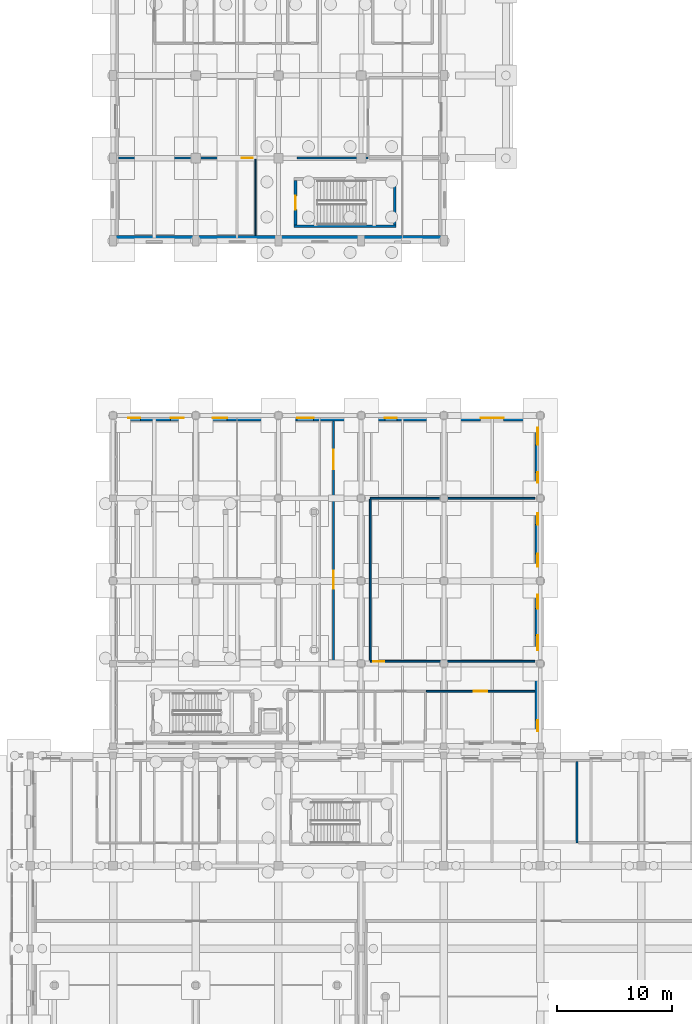
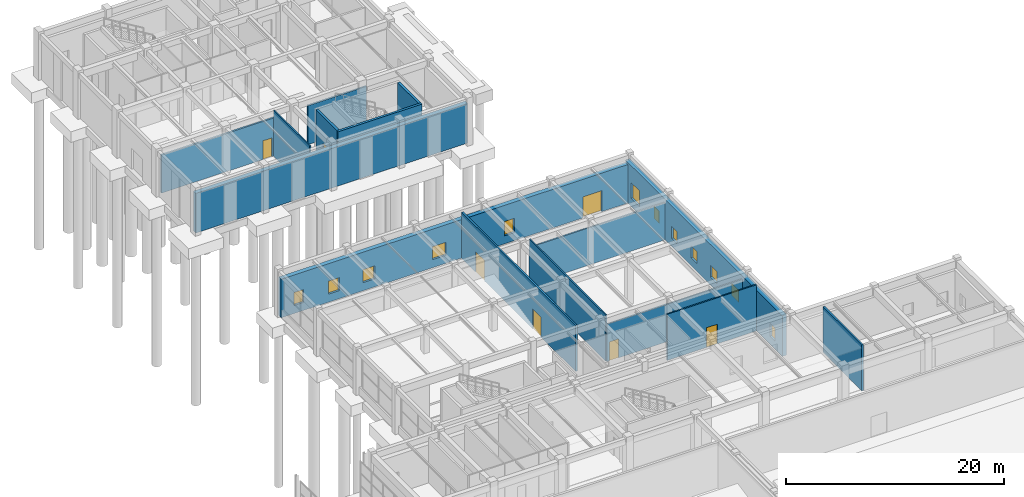
# One storey, part 76 of 91: 15 walls, 12 windows, 7 doors, 19 openings.
"""IFC4 building model written with IfcOpenShell, lengths in metres."""

from ifc_helpers import new_model, si_unit, direction, frame, frame_2d, origin, place, context, subcontext, project, spatial, rectangle, extrude, material, layer, layer_set, type_object, element, fill, save


model = new_model("IFC4")

# Units and contexts
model_context = context("Model", 3, precision=1e-05, world=origin(), true_north=direction((0.0, 1.0)))
body_context = subcontext(model_context, "Body", "Model", "MODEL_VIEW")
ifc_project = project(units=[si_unit("LENGTHUNIT", "METRE"), si_unit("AREAUNIT", "SQUARE_METRE"), si_unit("VOLUMEUNIT", "CUBIC_METRE"), si_unit("PLANEANGLEUNIT", "RADIAN"), si_unit("MASSUNIT", "GRAM", prefix="KILO")], contexts=[model_context])

# Site, building, storey
site_placement = place(None, origin())
site = spatial("IfcSite", under=ifc_project, at=site_placement, CompositionType="ELEMENT")
building_placement = place(site_placement, origin())
building = spatial("IfcBuilding", under=site, at=building_placement, Name="Bramveld Media Centre", CompositionType="ELEMENT")
storey_placement = place(building_placement, origin())
storey = spatial("IfcBuildingStorey", under=building, at=storey_placement, Name="L00", CompositionType="ELEMENT", Elevation=0.0)

# Wall
ifc_material_1 = material(Name="Concrete C40/50 stair & lift core wall", Category="concrete")
ifc_layer_1 = layer(ifc_material_1, 0.25)
ifc_layer_set_1 = layer_set([ifc_layer_1], Name="Concrete C40/50 stair & lift core wall")
wall_type_1 = type_object("IfcWallType", Name="CWALL-SHEAR-250", PredefinedType="SHEAR", material=ifc_layer_set_1)
wall_1_placement = place(storey_placement, frame((146.949951171875, 84.47509765625, 0.0), z_axis=(0.0, 0.0, 1.0), x_axis=(1.0, 0.0, 0.0)))
element("IfcWall", 1, at=wall_1_placement, inside=storey, type_object=wall_type_1, Name="ST-02 L00 stair core shear wall S", PredefinedType="SHEAR", context=body_context, shape_type="SweptSolid", body=[
    extrude(rectangle(XDim=8.900146484375, YDim=0.25, at=frame_2d((4.4501953125, 0.0))), origin(), (0.0, 0.0, 1.0), 5.139892578125),
])

# Wall, opening, door
wall_2_placement = place(storey_placement, frame((147.074951171875, 88.449951171875, 0.0), z_axis=(0.0, 0.0, 1.0), x_axis=(0.0, -1.0, 0.0)))
wall_2 = element("IfcWall", 2, at=wall_2_placement, inside=storey, type_object=wall_type_1, Name="ST-02 L00 stair core shear wall W", PredefinedType="SHEAR", context=body_context, shape_type="SweptSolid", body=[
    extrude(rectangle(XDim=3.849853515625, YDim=0.25, at=frame_2d((1.9248046875, 0.0))), origin(), (0.0, 0.0, 1.0), 5.139892578125),
])
opening_1_placement = place(wall_2_placement, frame((1.324951171875, 0.0, 0.0)))
opening_1 = element("IfcOpeningElement", 3, at=opening_1_placement, cuts=wall_2, Name="Opening SD-02-L00", PredefinedType="OPENING", context=body_context, shape_type="SweptSolid", body=[
    extrude(rectangle(XDim=1.199951171875, YDim=2.14990234375, at=frame_2d((0.60009765625, 1.074951171875))), frame((0.0, 0.136962890625, 0.0), z_axis=(0.0, -1.0, 0.0), x_axis=(1.0, 0.0, 0.0)), (0.0, 0.0, 1.0), 0.27392578125),
])
ifc_material_2 = material(Name="Painted galvanized steel acoustic fire door with intumescent smoke seals", Category="steel")
door_type_1 = type_object("IfcDoorType", Name="DR-ST-1200", OperationType="NOTDEFINED", PredefinedType="DOOR", material=ifc_material_2)
door_1_placement = place(opening_1_placement, origin())
door_1 = element("IfcDoor", 4, at=door_1_placement, inside=storey, type_object=door_type_1, Name="ST-02 L00 pressurized stair fire door", OperationType="SINGLE_SWING_LEFT", OverallHeight=2.14990234375, OverallWidth=1.199951171875, PredefinedType="DOOR", context=body_context, shape_type="SweptSolid", body=[
    extrude(rectangle(XDim=1.199951171875, YDim=2.14990234375, at=frame_2d((0.60009765625, 1.074951171875))), frame((0.0, 0.02490234375, 0.0), z_axis=(0.0, -1.0, 0.0), x_axis=(1.0, 0.0, 0.0)), (0.0, 0.0, 1.0), 0.050048828125),
])
fill(opening_1, door_1)

# Wall
wall_3_placement = place(storey_placement, frame((155.72509765625, 84.60009765625, 0.0), z_axis=(0.0, 0.0, 1.0), x_axis=(0.0, 1.0, 0.0)))
element("IfcWall", 5, at=wall_3_placement, inside=storey, type_object=wall_type_1, Name="ST-02 L00 stair core shear wall E", PredefinedType="SHEAR", context=body_context, shape_type="SweptSolid", body=[
    extrude(rectangle(XDim=3.849853515625, YDim=0.25, at=frame_2d((1.9248046875, 0.0))), origin(), (0.0, 0.0, 1.0), 5.139892578125),
])

# Wall, openings, windows
ifc_material_3 = material(Name="Flemish red-brown clay facing brick cavity wall with concrete C35/45 inner leaf", Category="masonry")
ifc_layer_2 = layer(ifc_material_3, 0.4599609375)
ifc_layer_set_2 = layer_set([ifc_layer_2], Name="Flemish red-brown clay facing brick cavity wall with concrete C35/45 inner leaf")
wall_type_2 = type_object("IfcWallType", Name="EW-BRK-460", PredefinedType="SOLIDWALL", material=ifc_layer_set_2)
wall_4_placement = place(storey_placement, frame((168.169921875, 68.0, 0.0), z_axis=(0.0, 0.0, 1.0), x_axis=(0.0, -1.0, 0.0)))
wall_4 = element("IfcWall", 6, at=wall_4_placement, inside=storey, type_object=wall_type_2, Name="V4 L00 E facing brick exterior wall", PredefinedType="SOLIDWALL", context=body_context, shape_type="SweptSolid", body=[
    extrude(rectangle(XDim=28.800048828125, YDim=0.4599609375, at=frame_2d((14.39990234375, 0.0))), origin(), (0.0, 0.0, 1.0), 4.554931640625),
])
opening_2_placement = place(wall_4_placement, frame((1.050048828125, 0.0, 0.89990234375)))
opening_2 = element("IfcOpeningElement", 7, at=opening_2_placement, cuts=wall_4, Name="Opening W-24", PredefinedType="OPENING", context=body_context, shape_type="SweptSolid", body=[
    extrude(rectangle(XDim=1.5, YDim=1.75, at=frame_2d((0.75, 0.875))), frame((0.0, 0.241943359375, 0.0), z_axis=(0.0, -1.0, 0.0), x_axis=(1.0, 0.0, 0.0)), (0.0, 0.0, 1.0), 0.48388671875),
])
opening_3_placement = place(wall_4_placement, frame((4.949951171875, 0.0, 0.89990234375)))
opening_3 = element("IfcOpeningElement", 8, at=opening_3_placement, cuts=wall_4, Name="Opening W-01", PredefinedType="OPENING", context=body_context, shape_type="SweptSolid", body=[
    extrude(rectangle(XDim=0.89990234375, YDim=1.35009765625, at=frame_2d((0.449951171875, 0.675048828125))), frame((0.0, 0.241943359375, 0.0), z_axis=(0.0, -1.0, 0.0), x_axis=(1.0, 0.0, 0.0)), (0.0, 0.0, 1.0), 0.48388671875),
])
opening_4_placement = place(wall_4_placement, frame((8.5, 0.0, 0.89990234375)))
opening_4 = element("IfcOpeningElement", 9, at=opening_4_placement, cuts=wall_4, Name="Opening W-02", PredefinedType="OPENING", context=body_context, shape_type="SweptSolid", body=[
    extrude(rectangle(XDim=1.0, YDim=1.35009765625, at=frame_2d((0.5, 0.675048828125))), frame((0.0, 0.241943359375, 0.0), z_axis=(0.0, -1.0, 0.0), x_axis=(1.0, 0.0, 0.0)), (0.0, 0.0, 1.0), 0.48388671875),
])
opening_5_placement = place(wall_4_placement, frame((12.050048828125, 0.0, 0.89990234375)))
opening_5 = element("IfcOpeningElement", 10, at=opening_5_placement, cuts=wall_4, Name="Opening W-03", PredefinedType="OPENING", context=body_context, shape_type="SweptSolid", body=[
    extrude(rectangle(XDim=1.10009765625, YDim=1.35009765625, at=frame_2d((0.550048828125, 0.675048828125))), frame((0.0, 0.241943359375, 0.0), z_axis=(0.0, -1.0, 0.0), x_axis=(1.0, 0.0, 0.0)), (0.0, 0.0, 1.0), 0.48388671875),
])
opening_6_placement = place(wall_4_placement, frame((15.60009765625, 0.0, 0.89990234375)))
opening_6 = element("IfcOpeningElement", 11, at=opening_6_placement, cuts=wall_4, Name="Opening W-04", PredefinedType="OPENING", context=body_context, shape_type="SweptSolid", body=[
    extrude(rectangle(XDim=1.199951171875, YDim=1.35009765625, at=frame_2d((0.60009765625, 0.675048828125))), frame((0.0, 0.241943359375, 0.0), z_axis=(0.0, -1.0, 0.0), x_axis=(1.0, 0.0, 0.0)), (0.0, 0.0, 1.0), 0.48388671875),
])
opening_7_placement = place(wall_4_placement, frame((19.14990234375, 0.0, 0.89990234375)))
opening_7 = element("IfcOpeningElement", 12, at=opening_7_placement, cuts=wall_4, Name="Opening W-05", PredefinedType="OPENING", context=body_context, shape_type="SweptSolid", body=[
    extrude(rectangle(XDim=1.300048828125, YDim=1.35009765625, at=frame_2d((0.64990234375, 0.675048828125))), frame((0.0, 0.241943359375, 0.0), z_axis=(0.0, -1.0, 0.0), x_axis=(1.0, 0.0, 0.0)), (0.0, 0.0, 1.0), 0.48388671875),
])
opening_8_placement = place(wall_4_placement, frame((26.52490234375, 0.0, 0.89990234375)))
opening_8 = element("IfcOpeningElement", 13, at=opening_8_placement, cuts=wall_4, Name="Opening W-07", PredefinedType="OPENING", context=body_context, shape_type="SweptSolid", body=[
    extrude(rectangle(XDim=0.949951171875, YDim=1.449951171875, at=frame_2d((0.47509765625, 0.72509765625))), frame((0.0, 0.241943359375, 0.0), z_axis=(0.0, -1.0, 0.0), x_axis=(1.0, 0.0, 0.0)), (0.0, 0.0, 1.0), 0.48388671875),
])
ifc_material_4 = material(Name="Thermally broken anodized bronze aluminium frame with triple acoustic glazing", Category="aluminium")
window_type_1 = type_object("IfcWindowType", Name="WIN-FAC-01", PartitioningType="SINGLE_PANEL", PredefinedType="WINDOW", material=ifc_material_4)
window_1_placement = place(opening_3_placement, origin())
window_1 = element("IfcWindow", 14, at=window_1_placement, inside=storey, type_object=window_type_1, Name="V4 L00 E acoustic facade window", OverallHeight=1.35009765625, OverallWidth=0.89990234375, PartitioningType="SINGLE_PANEL", PredefinedType="WINDOW", context=body_context, shape_type="SweptSolid", body=[
    extrude(rectangle(XDim=0.89990234375, YDim=1.35009765625, at=frame_2d((0.449951171875, 0.675048828125))), frame((0.0, 0.030029296875, 0.0), z_axis=(0.0, -1.0, 0.0), x_axis=(1.0, 0.0, 0.0)), (0.0, 0.0, 1.0), 0.06005859375),
])
fill(opening_3, window_1)
ifc_material_5 = material(Name="Thermally broken anodized bronze aluminium frame with triple acoustic glazing", Category="aluminium")
window_type_2 = type_object("IfcWindowType", Name="WIN-FAC-02", PartitioningType="SINGLE_PANEL", PredefinedType="WINDOW", material=ifc_material_5)
window_2_placement = place(opening_4_placement, origin())
window_2 = element("IfcWindow", 15, at=window_2_placement, inside=storey, type_object=window_type_2, Name="V4 L00 E acoustic facade window", OverallHeight=1.35009765625, OverallWidth=1.0, PartitioningType="SINGLE_PANEL", PredefinedType="WINDOW", context=body_context, shape_type="SweptSolid", body=[
    extrude(rectangle(XDim=1.0, YDim=1.35009765625, at=frame_2d((0.5, 0.675048828125))), frame((0.0, 0.030029296875, 0.0), z_axis=(0.0, -1.0, 0.0), x_axis=(1.0, 0.0, 0.0)), (0.0, 0.0, 1.0), 0.06005859375),
])
fill(opening_4, window_2)
ifc_material_6 = material(Name="Thermally broken anodized bronze aluminium frame with triple acoustic glazing", Category="aluminium")
window_type_3 = type_object("IfcWindowType", Name="WIN-FAC-03", PartitioningType="SINGLE_PANEL", PredefinedType="WINDOW", material=ifc_material_6)
window_3_placement = place(opening_5_placement, origin())
window_3 = element("IfcWindow", 16, at=window_3_placement, inside=storey, type_object=window_type_3, Name="V4 L00 E acoustic facade window", OverallHeight=1.35009765625, OverallWidth=1.10009765625, PartitioningType="SINGLE_PANEL", PredefinedType="WINDOW", context=body_context, shape_type="SweptSolid", body=[
    extrude(rectangle(XDim=1.10009765625, YDim=1.35009765625, at=frame_2d((0.550048828125, 0.675048828125))), frame((0.0, 0.030029296875, 0.0), z_axis=(0.0, -1.0, 0.0), x_axis=(1.0, 0.0, 0.0)), (0.0, 0.0, 1.0), 0.06005859375),
])
fill(opening_5, window_3)
ifc_material_7 = material(Name="Thermally broken anodized bronze aluminium frame with triple acoustic glazing", Category="aluminium")
window_type_4 = type_object("IfcWindowType", Name="WIN-FAC-04", PartitioningType="SINGLE_PANEL", PredefinedType="WINDOW", material=ifc_material_7)
window_4_placement = place(opening_6_placement, origin())
window_4 = element("IfcWindow", 17, at=window_4_placement, inside=storey, type_object=window_type_4, Name="V4 L00 E acoustic facade window", OverallHeight=1.35009765625, OverallWidth=1.199951171875, PartitioningType="SINGLE_PANEL", PredefinedType="WINDOW", context=body_context, shape_type="SweptSolid", body=[
    extrude(rectangle(XDim=1.199951171875, YDim=1.35009765625, at=frame_2d((0.60009765625, 0.675048828125))), frame((0.0, 0.030029296875, 0.0), z_axis=(0.0, -1.0, 0.0), x_axis=(1.0, 0.0, 0.0)), (0.0, 0.0, 1.0), 0.06005859375),
])
fill(opening_6, window_4)
ifc_material_8 = material(Name="Thermally broken anodized bronze aluminium frame with triple acoustic glazing", Category="aluminium")
window_type_5 = type_object("IfcWindowType", Name="WIN-FAC-05", PartitioningType="SINGLE_PANEL", PredefinedType="WINDOW", material=ifc_material_8)
window_5_placement = place(opening_7_placement, origin())
window_5 = element("IfcWindow", 18, at=window_5_placement, inside=storey, type_object=window_type_5, Name="V4 L00 E acoustic facade window", OverallHeight=1.35009765625, OverallWidth=1.300048828125, PartitioningType="SINGLE_PANEL", PredefinedType="WINDOW", context=body_context, shape_type="SweptSolid", body=[
    extrude(rectangle(XDim=1.300048828125, YDim=1.35009765625, at=frame_2d((0.64990234375, 0.675048828125))), frame((0.0, 0.030029296875, 0.0), z_axis=(0.0, -1.0, 0.0), x_axis=(1.0, 0.0, 0.0)), (0.0, 0.0, 1.0), 0.06005859375),
])
fill(opening_7, window_5)
ifc_material_9 = material(Name="Thermally broken anodized bronze aluminium frame with triple acoustic glazing", Category="aluminium")
window_type_6 = type_object("IfcWindowType", Name="WIN-FAC-07", PartitioningType="SINGLE_PANEL", PredefinedType="WINDOW", material=ifc_material_9)
window_6_placement = place(opening_8_placement, origin())
window_6 = element("IfcWindow", 19, at=window_6_placement, inside=storey, type_object=window_type_6, Name="V4 L00 E acoustic facade window", OverallHeight=1.449951171875, OverallWidth=0.949951171875, PartitioningType="SINGLE_PANEL", PredefinedType="WINDOW", context=body_context, shape_type="SweptSolid", body=[
    extrude(rectangle(XDim=0.949951171875, YDim=1.449951171875, at=frame_2d((0.47509765625, 0.72509765625))), frame((0.0, 0.030029296875, 0.0), z_axis=(0.0, -1.0, 0.0), x_axis=(1.0, 0.0, 0.0)), (0.0, 0.0, 1.0), 0.06005859375),
])
fill(opening_8, window_6)
ifc_material_10 = material(Name="Thermally broken anodized bronze aluminium frame with triple acoustic glazing", Category="aluminium")
window_type_7 = type_object("IfcWindowType", Name="WIN-FAC-24", PartitioningType="SINGLE_PANEL", PredefinedType="WINDOW", material=ifc_material_10)
window_7_placement = place(opening_2_placement, origin())
window_7 = element("IfcWindow", 20, at=window_7_placement, inside=storey, type_object=window_type_7, Name="V4 L00 E acoustic facade window", OverallHeight=1.75, OverallWidth=1.5, PartitioningType="SINGLE_PANEL", PredefinedType="WINDOW", context=body_context, shape_type="SweptSolid", body=[
    extrude(rectangle(XDim=1.5, YDim=1.75, at=frame_2d((0.75, 0.875))), frame((0.0, 0.030029296875, 0.0), z_axis=(0.0, -1.0, 0.0), x_axis=(1.0, 0.0, 0.0)), (0.0, 0.0, 1.0), 0.06005859375),
])
fill(opening_2, window_7)

# Wall, openings, door, windows
wall_5_placement = place(storey_placement, frame((131.199951171875, 67.77001953125, 0.0), z_axis=(0.0, 0.0, 1.0), x_axis=(1.0, 0.0, 0.0)))
wall_5 = element("IfcWall", 21, at=wall_5_placement, inside=storey, type_object=wall_type_2, Name="V4 L00 N facing brick exterior wall", PredefinedType="SOLIDWALL", context=body_context, shape_type="SweptSolid", body=[
    extrude(rectangle(XDim=37.199951171875, YDim=0.4599609375, at=frame_2d((18.60009765625, 0.0))), origin(), (0.0, 0.0, 1.0), 4.31494140625),
])
opening_9_placement = place(wall_5_placement, frame((32.0, 0.0, 0.0)))
opening_9 = element("IfcOpeningElement", 22, at=opening_9_placement, cuts=wall_5, Name="Opening ED-15", PredefinedType="OPENING", context=body_context, shape_type="SweptSolid", body=[
    extrude(rectangle(XDim=2.0, YDim=2.35009765625, at=frame_2d((1.0, 1.175048828125))), frame((0.0, 0.241943359375, 0.0), z_axis=(0.0, -1.0, 0.0), x_axis=(1.0, 0.0, 0.0)), (0.0, 0.0, 1.0), 0.48388671875),
])
opening_10_placement = place(wall_5_placement, frame((1.3349609375, 0.0, 0.89990234375)))
opening_10 = element("IfcOpeningElement", 23, at=opening_10_placement, cuts=wall_5, Name="Opening W-08", PredefinedType="OPENING", context=body_context, shape_type="SweptSolid", body=[
    extrude(rectangle(XDim=1.050048828125, YDim=1.449951171875, at=frame_2d((0.52490234375, 0.72509765625))), frame((0.0, 0.241943359375, 0.0), z_axis=(0.0, -1.0, 0.0), x_axis=(1.0, 0.0, 0.0)), (0.0, 0.0, 1.0), 0.48388671875),
])
opening_11_placement = place(wall_5_placement, frame((5.0048828125, 0.0, 0.89990234375)))
opening_11 = element("IfcOpeningElement", 24, at=opening_11_placement, cuts=wall_5, Name="Opening W-09", PredefinedType="OPENING", context=body_context, shape_type="SweptSolid", body=[
    extrude(rectangle(XDim=1.14990234375, YDim=1.449951171875, at=frame_2d((0.574951171875, 0.72509765625))), frame((0.0, 0.241943359375, 0.0), z_axis=(0.0, -1.0, 0.0), x_axis=(1.0, 0.0, 0.0)), (0.0, 0.0, 1.0), 0.48388671875),
])
opening_12_placement = place(wall_5_placement, frame((8.675048828125, 0.0, 0.89990234375)))
opening_12 = element("IfcOpeningElement", 25, at=opening_12_placement, cuts=wall_5, Name="Opening W-10", PredefinedType="OPENING", context=body_context, shape_type="SweptSolid", body=[
    extrude(rectangle(XDim=1.25, YDim=1.449951171875, at=frame_2d((0.625, 0.72509765625))), frame((0.0, 0.241943359375, 0.0), z_axis=(0.0, -1.0, 0.0), x_axis=(1.0, 0.0, 0.0)), (0.0, 0.0, 1.0), 0.48388671875),
])
opening_13_placement = place(wall_5_placement, frame((16.014892578125, 0.0, 0.89990234375)))
opening_13 = element("IfcOpeningElement", 26, at=opening_13_placement, cuts=wall_5, Name="Opening W-12", PredefinedType="OPENING", context=body_context, shape_type="SweptSolid", body=[
    extrude(rectangle(XDim=1.449951171875, YDim=1.449951171875, at=frame_2d((0.72509765625, 0.72509765625))), frame((0.0, 0.241943359375, 0.0), z_axis=(0.0, -1.0, 0.0), x_axis=(1.0, 0.0, 0.0)), (0.0, 0.0, 1.0), 0.48388671875),
])
opening_14_placement = place(wall_5_placement, frame((23.655029296875, 0.0, 0.89990234375)))
opening_14 = element("IfcOpeningElement", 27, at=opening_14_placement, cuts=wall_5, Name="Opening W-14", PredefinedType="OPENING", context=body_context, shape_type="SweptSolid", body=[
    extrude(rectangle(XDim=1.050048828125, YDim=1.60009765625, at=frame_2d((0.52490234375, 0.800048828125))), frame((0.0, 0.241943359375, 0.0), z_axis=(0.0, -1.0, 0.0), x_axis=(1.0, 0.0, 0.0)), (0.0, 0.0, 1.0), 0.48388671875),
])
ifc_material_11 = material(Name="Insulated powder-coated bronze aluminium & laminated safety glass door", Category="aluminium")
door_type_2 = type_object("IfcDoorType", Name="DR-EXT-2000", OperationType="NOTDEFINED", PredefinedType="DOOR", material=ifc_material_11)
door_2_placement = place(opening_9_placement, origin())
door_2 = element("IfcDoor", 28, at=door_2_placement, inside=storey, type_object=door_type_2, Name="Exterior door ED-15", OperationType="DOUBLE_DOOR_SINGLE_SWING", OverallHeight=2.35009765625, OverallWidth=2.0, PredefinedType="DOOR", context=body_context, shape_type="SweptSolid", body=[
    extrude(rectangle(XDim=2.0, YDim=2.35009765625, at=frame_2d((1.0, 1.175048828125))), frame((0.0, 0.02490234375, 0.0), z_axis=(0.0, -1.0, 0.0), x_axis=(1.0, 0.0, 0.0)), (0.0, 0.0, 1.0), 0.050048828125),
])
fill(opening_9, door_2)
ifc_material_12 = material(Name="Thermally broken anodized bronze aluminium frame with triple acoustic glazing", Category="aluminium")
window_type_8 = type_object("IfcWindowType", Name="WIN-FAC-08", PartitioningType="SINGLE_PANEL", PredefinedType="WINDOW", material=ifc_material_12)
window_8_placement = place(opening_10_placement, origin())
window_8 = element("IfcWindow", 29, at=window_8_placement, inside=storey, type_object=window_type_8, Name="V4 L00 N acoustic facade window", OverallHeight=1.449951171875, OverallWidth=1.050048828125, PartitioningType="SINGLE_PANEL", PredefinedType="WINDOW", context=body_context, shape_type="SweptSolid", body=[
    extrude(rectangle(XDim=1.050048828125, YDim=1.449951171875, at=frame_2d((0.52490234375, 0.72509765625))), frame((0.0, 0.030029296875, 0.0), z_axis=(0.0, -1.0, 0.0), x_axis=(1.0, 0.0, 0.0)), (0.0, 0.0, 1.0), 0.06005859375),
])
fill(opening_10, window_8)
ifc_material_13 = material(Name="Thermally broken anodized bronze aluminium frame with triple acoustic glazing", Category="aluminium")
window_type_9 = type_object("IfcWindowType", Name="WIN-FAC-09", PartitioningType="SINGLE_PANEL", PredefinedType="WINDOW", material=ifc_material_13)
window_9_placement = place(opening_11_placement, origin())
window_9 = element("IfcWindow", 30, at=window_9_placement, inside=storey, type_object=window_type_9, Name="V4 L00 N acoustic facade window", OverallHeight=1.449951171875, OverallWidth=1.14990234375, PartitioningType="SINGLE_PANEL", PredefinedType="WINDOW", context=body_context, shape_type="SweptSolid", body=[
    extrude(rectangle(XDim=1.14990234375, YDim=1.449951171875, at=frame_2d((0.574951171875, 0.72509765625))), frame((0.0, 0.030029296875, 0.0), z_axis=(0.0, -1.0, 0.0), x_axis=(1.0, 0.0, 0.0)), (0.0, 0.0, 1.0), 0.06005859375),
])
fill(opening_11, window_9)
ifc_material_14 = material(Name="Thermally broken anodized bronze aluminium frame with triple acoustic glazing", Category="aluminium")
window_type_10 = type_object("IfcWindowType", Name="WIN-FAC-10", PartitioningType="SINGLE_PANEL", PredefinedType="WINDOW", material=ifc_material_14)
window_10_placement = place(opening_12_placement, origin())
window_10 = element("IfcWindow", 31, at=window_10_placement, inside=storey, type_object=window_type_10, Name="V4 L00 N acoustic facade window", OverallHeight=1.449951171875, OverallWidth=1.25, PartitioningType="SINGLE_PANEL", PredefinedType="WINDOW", context=body_context, shape_type="SweptSolid", body=[
    extrude(rectangle(XDim=1.25, YDim=1.449951171875, at=frame_2d((0.625, 0.72509765625))), frame((0.0, 0.030029296875, 0.0), z_axis=(0.0, -1.0, 0.0), x_axis=(1.0, 0.0, 0.0)), (0.0, 0.0, 1.0), 0.06005859375),
])
fill(opening_12, window_10)
ifc_material_15 = material(Name="Thermally broken anodized bronze aluminium frame with triple acoustic glazing", Category="aluminium")
window_type_11 = type_object("IfcWindowType", Name="WIN-FAC-12", PartitioningType="SINGLE_PANEL", PredefinedType="WINDOW", material=ifc_material_15)
window_11_placement = place(opening_13_placement, origin())
window_11 = element("IfcWindow", 32, at=window_11_placement, inside=storey, type_object=window_type_11, Name="V4 L00 N acoustic facade window", OverallHeight=1.449951171875, OverallWidth=1.449951171875, PartitioningType="SINGLE_PANEL", PredefinedType="WINDOW", context=body_context, shape_type="SweptSolid", body=[
    extrude(rectangle(XDim=1.449951171875, YDim=1.449951171875, at=frame_2d((0.72509765625, 0.72509765625))), frame((0.0, 0.030029296875, 0.0), z_axis=(0.0, -1.0, 0.0), x_axis=(1.0, 0.0, 0.0)), (0.0, 0.0, 1.0), 0.06005859375),
])
fill(opening_13, window_11)
ifc_material_16 = material(Name="Thermally broken anodized bronze aluminium frame with triple acoustic glazing", Category="aluminium")
window_type_12 = type_object("IfcWindowType", Name="WIN-FAC-14", PartitioningType="SINGLE_PANEL", PredefinedType="WINDOW", material=ifc_material_16)
window_12_placement = place(opening_14_placement, origin())
window_12 = element("IfcWindow", 33, at=window_12_placement, inside=storey, type_object=window_type_12, Name="V4 L00 N acoustic facade window", OverallHeight=1.60009765625, OverallWidth=1.050048828125, PartitioningType="SINGLE_PANEL", PredefinedType="WINDOW", context=body_context, shape_type="SweptSolid", body=[
    extrude(rectangle(XDim=1.050048828125, YDim=1.60009765625, at=frame_2d((0.52490234375, 0.800048828125))), frame((0.0, 0.030029296875, 0.0), z_axis=(0.0, -1.0, 0.0), x_axis=(1.0, 0.0, 0.0)), (0.0, 0.0, 1.0), 0.06005859375),
])
fill(opening_14, window_12)

# Walls
wall_6_placement = place(storey_placement, frame((160.0, 83.429931640625, 0.0), z_axis=(0.0, 0.0, 1.0), x_axis=(-1.0, 0.0, 0.0)))
element("IfcWall", 34, at=wall_6_placement, inside=storey, type_object=wall_type_2, Name="V7 L00 S facing brick exterior wall", PredefinedType="SOLIDWALL", context=body_context, shape_type="SweptSolid", body=[
    extrude(rectangle(XDim=28.800048828125, YDim=0.4599609375, at=frame_2d((14.39990234375, 0.0))), origin(), (0.0, 0.0, 1.0), 4.43505859375),
])
ifc_material_17 = material(Name="Fire-rated twin-frame gypsum corridor wall", Category="gypsum")
ifc_layer_3 = layer(ifc_material_17, 0.179931640625)
ifc_layer_set_3 = layer_set([ifc_layer_3], Name="Fire-rated twin-frame gypsum corridor wall")
wall_type_3 = type_object("IfcWallType", Name="IW-FIRE-180", PredefinedType="PARTITIONING", material=ifc_layer_set_3)
wall_7_placement = place(storey_placement, frame((171.60009765625, 30.800048828125, 0.0), z_axis=(0.0, 0.0, 1.0), x_axis=(0.0, 1.0, 0.0)))
element("IfcWall", 35, at=wall_7_placement, inside=storey, type_object=wall_type_3, Name="Festival Press & Ticket Circulation Lobby partition wall", PredefinedType="PARTITIONING", context=body_context, shape_type="SweptSolid", body=[
    extrude(rectangle(XDim=7.08984375, YDim=0.179931640625, at=frame_2d((3.544921875, 0.0))), origin(), (0.0, 0.0, 1.0), 5.1201171875),
])

# Wall, openings, doors
wall_8_placement = place(storey_placement, frame((150.39990234375, 46.60009765625, 0.0), z_axis=(0.0, 0.0, 1.0), x_axis=(0.0, 1.0, 0.0)))
wall_8 = element("IfcWall", 36, at=wall_8_placement, inside=storey, type_object=wall_type_3, Name="North Screening Vestibule Corridor partition wall", PredefinedType="PARTITIONING", context=body_context, shape_type="SweptSolid", body=[
    extrude(rectangle(XDim=20.929931640625, YDim=0.179931640625, at=frame_2d((10.46484375, 0.0))), origin(), (0.0, 0.0, 1.0), 5.159912109375),
])
opening_15_placement = place(wall_8_placement, frame((6.320068359375, 0.0, 0.0)))
opening_15 = element("IfcOpeningElement", 37, at=opening_15_placement, cuts=wall_8, Name="Opening D-00-024", PredefinedType="OPENING", context=body_context, shape_type="SweptSolid", body=[
    extrude(rectangle(XDim=1.56005859375, YDim=2.25, at=frame_2d((0.780029296875, 1.125))), frame((0.0, 0.10205078125, 0.0), z_axis=(0.0, -1.0, 0.0), x_axis=(1.0, 0.0, 0.0)), (0.0, 0.0, 1.0), 0.203857421875),
])
opening_16_placement = place(wall_8_placement, frame((16.72509765625, 0.0, 0.0)))
opening_16 = element("IfcOpeningElement", 38, at=opening_16_placement, cuts=wall_8, Name="Opening D-00-026", PredefinedType="OPENING", context=body_context, shape_type="SweptSolid", body=[
    extrude(rectangle(XDim=1.679931640625, YDim=2.300048828125, at=frame_2d((0.83984375, 1.14990234375))), frame((0.0, 0.10205078125, 0.0), z_axis=(0.0, -1.0, 0.0), x_axis=(1.0, 0.0, 0.0)), (0.0, 0.0, 1.0), 0.203857421875),
])
ifc_material_18 = material(Name="Fire-rated acoustic timber & steel composite door", Category="steel")
door_type_3 = type_object("IfcDoorType", Name="DR-HALL-1560", OperationType="NOTDEFINED", PredefinedType="DOOR", material=ifc_material_18)
door_3_placement = place(opening_15_placement, origin())
door_3 = element("IfcDoor", 39, at=door_3_placement, inside=storey, type_object=door_type_3, Name="Screen 7 Restoration Screening Cinema entrance door", OperationType="DOUBLE_DOOR_SINGLE_SWING", OverallHeight=2.25, OverallWidth=1.56005859375, PredefinedType="DOOR", context=body_context, shape_type="SweptSolid", body=[
    extrude(rectangle(XDim=1.56005859375, YDim=2.25, at=frame_2d((0.780029296875, 1.125))), frame((0.0, 0.02490234375, 0.0), z_axis=(0.0, -1.0, 0.0), x_axis=(1.0, 0.0, 0.0)), (0.0, 0.0, 1.0), 0.050048828125),
])
fill(opening_15, door_3)
ifc_material_19 = material(Name="Fire-rated acoustic timber & steel composite door", Category="steel")
door_type_4 = type_object("IfcDoorType", Name="DR-HALL-1680", OperationType="NOTDEFINED", PredefinedType="DOOR", material=ifc_material_19)
door_4_placement = place(opening_16_placement, origin())
door_4 = element("IfcDoor", 40, at=door_4_placement, inside=storey, type_object=door_type_4, Name="Analogue Film Scanner Suite entrance door", OperationType="DOUBLE_DOOR_SINGLE_SWING", OverallHeight=2.300048828125, OverallWidth=1.679931640625, PredefinedType="DOOR", context=body_context, shape_type="SweptSolid", body=[
    extrude(rectangle(XDim=1.679931640625, YDim=2.300048828125, at=frame_2d((0.83984375, 1.14990234375))), frame((0.0, 0.02490234375, 0.0), z_axis=(0.0, -1.0, 0.0), x_axis=(1.0, 0.0, 0.0)), (0.0, 0.0, 1.0), 0.050048828125),
])
fill(opening_16, door_4)

# Wall, opening, door
wall_9_placement = place(storey_placement, frame((131.669921875, 90.39990234375, 0.0), z_axis=(0.0, 0.0, 1.0), x_axis=(1.0, 0.0, 0.0)))
wall_9 = element("IfcWall", 41, at=wall_9_placement, inside=storey, type_object=wall_type_3, Name="East Plaza Entrance Circulation Lobby partition wall", PredefinedType="PARTITIONING", context=body_context, shape_type="SweptSolid", body=[
    extrude(rectangle(XDim=11.93017578125, YDim=0.179931640625, at=frame_2d((5.965087890625, 0.0))), origin(), (0.0, 0.0, 1.0), 4.264892578125),
])
opening_17_placement = place(wall_9_placement, frame((10.739990234375, 0.0, 0.0)))
opening_17 = element("IfcOpeningElement", 42, at=opening_17_placement, cuts=wall_9, Name="Opening D-00-047", PredefinedType="OPENING", context=body_context, shape_type="SweptSolid", body=[
    extrude(rectangle(XDim=0.93994140625, YDim=2.10009765625, at=frame_2d((0.469970703125, 1.050048828125))), frame((0.0, 0.10205078125, 0.0), z_axis=(0.0, -1.0, 0.0), x_axis=(1.0, 0.0, 0.0)), (0.0, 0.0, 1.0), 0.203857421875),
])
ifc_material_20 = material(Name="Solid-core European oak acoustic timber leaf in steel frame", Category="steel")
door_type_5 = type_object("IfcDoorType", Name="DR-RM-0940", OperationType="NOTDEFINED", PredefinedType="DOOR", material=ifc_material_20)
door_5_placement = place(opening_17_placement, origin())
door_5 = element("IfcDoor", 43, at=door_5_placement, inside=storey, type_object=door_type_5, Name="Live Radio & Podcast Window Studio entrance door", OperationType="SINGLE_SWING_LEFT", OverallHeight=2.10009765625, OverallWidth=0.93994140625, PredefinedType="DOOR", context=body_context, shape_type="SweptSolid", body=[
    extrude(rectangle(XDim=0.93994140625, YDim=2.10009765625, at=frame_2d((0.469970703125, 1.050048828125))), frame((0.0, 0.02490234375, 0.0), z_axis=(0.0, -1.0, 0.0), x_axis=(1.0, 0.0, 0.0)), (0.0, 0.0, 1.0), 0.050048828125),
])
fill(opening_17, door_5)

# Walls
wall_10_placement = place(storey_placement, frame((147.199951171875, 90.39990234375, 0.0), z_axis=(0.0, 0.0, 1.0), x_axis=(1.0, 0.0, 0.0)))
element("IfcWall", 44, at=wall_10_placement, inside=storey, type_object=wall_type_3, Name="Press & Festival Accreditation Circulation Lobby partition wall", PredefinedType="PARTITIONING", context=body_context, shape_type="SweptSolid", body=[
    extrude(rectangle(XDim=6.199951171875, YDim=0.179931640625, at=frame_2d((3.10009765625, 0.0))), origin(), (0.0, 0.0, 1.0), 4.364990234375),
])
ifc_material_21 = material(Name="Lightweight acoustic stud partition", Category="gypsum")
ifc_layer_4 = layer(ifc_material_21, 0.125)
ifc_layer_set_4 = layer_set([ifc_layer_4], Name="Lightweight acoustic stud partition")
wall_type_4 = type_object("IfcWallType", Name="IW-PART-125", PredefinedType="PARTITIONING", material=ifc_layer_set_4)
wall_11_placement = place(storey_placement, frame((143.60009765625, 83.669921875, 0.0), z_axis=(0.0, 0.0, 1.0), x_axis=(0.0, 1.0, 0.0)))
element("IfcWall", 45, at=wall_11_placement, inside=storey, type_object=wall_type_4, Name="Live Radio & Podcast Window Studio partition wall", PredefinedType="PARTITIONING", context=body_context, shape_type="SweptSolid", body=[
    extrude(rectangle(XDim=6.630126953125, YDim=0.125, at=frame_2d((3.31494140625, 0.0))), origin(), (0.0, 0.0, 1.0), 5.139892578125),
])

# Wall, opening, door
ifc_material_22 = material(Name="Insulated metal-stud gypsum room partition", Category="gypsum")
ifc_layer_5 = layer(ifc_material_22, 0.14990234375)
ifc_layer_set_5 = layer_set([ifc_layer_5], Name="Insulated metal-stud gypsum room partition")
wall_type_5 = type_object("IfcWallType", Name="IW-PART-150", PredefinedType="PARTITIONING", material=ifc_layer_set_5)
wall_12_placement = place(storey_placement, frame((153.60009765625, 46.60009765625, 0.0), z_axis=(0.0, 0.0, 1.0), x_axis=(1.0, 0.0, 0.0)))
wall_12 = element("IfcWall", 46, at=wall_12_placement, inside=storey, type_object=wall_type_5, Name="Youth Media Education Workshop partition wall", PredefinedType="PARTITIONING", context=body_context, shape_type="SweptSolid", body=[
    extrude(rectangle(XDim=14.329833984375, YDim=0.14990234375, at=frame_2d((7.1650390625, 0.0))), origin(), (0.0, 0.0, 1.0), 4.18505859375),
])
opening_18_placement = place(wall_12_placement, frame((0.25, 0.0, 0.0)))
opening_18 = element("IfcOpeningElement", 47, at=opening_18_placement, cuts=wall_12, Name="Opening D-00-025", PredefinedType="OPENING", context=body_context, shape_type="SweptSolid", body=[
    extrude(rectangle(XDim=0.97998046875, YDim=2.1201171875, at=frame_2d((0.489990234375, 1.06005859375))), frame((0.0, 0.0869140625, 0.0), z_axis=(0.0, -1.0, 0.0), x_axis=(1.0, 0.0, 0.0)), (0.0, 0.0, 1.0), 0.173828125),
])
ifc_material_23 = material(Name="Solid-core European oak acoustic timber leaf in steel frame", Category="steel")
door_type_6 = type_object("IfcDoorType", Name="DR-RM-0980", OperationType="NOTDEFINED", PredefinedType="DOOR", material=ifc_material_23)
door_6_placement = place(opening_18_placement, origin())
door_6 = element("IfcDoor", 48, at=door_6_placement, inside=storey, type_object=door_type_6, Name="Youth Media Education Workshop entrance door", OperationType="SINGLE_SWING_LEFT", OverallHeight=2.1201171875, OverallWidth=0.97998046875, PredefinedType="DOOR", context=body_context, shape_type="SweptSolid", body=[
    extrude(rectangle(XDim=0.97998046875, YDim=2.1201171875, at=frame_2d((0.489990234375, 1.06005859375))), frame((0.0, 0.02490234375, 0.0), z_axis=(0.0, -1.0, 0.0), x_axis=(1.0, 0.0, 0.0)), (0.0, 0.0, 1.0), 0.050048828125),
])
fill(opening_18, door_6)

# Walls
wall_13_placement = place(storey_placement, frame((153.60009765625, 60.800048828125, 0.0), z_axis=(0.0, 0.0, 1.0), x_axis=(1.0, 0.0, 0.0)))
element("IfcWall", 49, at=wall_13_placement, inside=storey, type_object=wall_type_5, Name="Youth Media Education Workshop partition wall", PredefinedType="PARTITIONING", context=body_context, shape_type="SweptSolid", body=[
    extrude(rectangle(XDim=14.329833984375, YDim=0.14990234375, at=frame_2d((7.1650390625, 0.0))), origin(), (0.0, 0.0, 1.0), 4.18505859375),
])
wall_14_placement = place(storey_placement, frame((153.60009765625, 46.68505859375, 0.0), z_axis=(0.0, 0.0, 1.0), x_axis=(0.0, 1.0, 0.0)))
element("IfcWall", 50, at=wall_14_placement, inside=storey, type_object=wall_type_5, Name="Youth Media Education Workshop partition wall", PredefinedType="PARTITIONING", context=body_context, shape_type="SweptSolid", body=[
    extrude(rectangle(XDim=14.030029296875, YDim=0.14990234375, at=frame_2d((7.01513671875, 0.0))), origin(), (0.0, 0.0, 1.0), 5.159912109375),
])

# Wall, opening, door
wall_15_placement = place(storey_placement, frame((158.47998046875, 44.0, 0.0), z_axis=(0.0, 0.0, 1.0), x_axis=(1.0, 0.0, 0.0)))
wall_15 = element("IfcWall", 51, at=wall_15_placement, inside=storey, type_object=wall_type_5, Name="Film Pedagogical Seminar Room partition wall", PredefinedType="PARTITIONING", context=body_context, shape_type="SweptSolid", body=[
    extrude(rectangle(XDim=9.449951171875, YDim=0.14990234375, at=frame_2d((4.72509765625, 0.0))), origin(), (0.0, 0.0, 1.0), 5.159912109375),
])
opening_19_placement = place(wall_15_placement, frame((4.135009765625, 0.0, 0.0)))
opening_19 = element("IfcOpeningElement", 52, at=opening_19_placement, cuts=wall_15, Name="Opening D-00-030", PredefinedType="OPENING", context=body_context, shape_type="SweptSolid", body=[
    extrude(rectangle(XDim=1.179931640625, YDim=2.199951171875, at=frame_2d((0.58984375, 1.10009765625))), frame((0.0, 0.0869140625, 0.0), z_axis=(0.0, -1.0, 0.0), x_axis=(1.0, 0.0, 0.0)), (0.0, 0.0, 1.0), 0.173828125),
])
ifc_material_24 = material(Name="Fire-rated acoustic timber & steel composite door", Category="steel")
door_type_7 = type_object("IfcDoorType", Name="DR-STU-1180", OperationType="NOTDEFINED", PredefinedType="DOOR", material=ifc_material_24)
door_7_placement = place(opening_19_placement, origin())
door_7 = element("IfcDoor", 53, at=door_7_placement, inside=storey, type_object=door_type_7, Name="Film Pedagogical Seminar Room entrance door", OperationType="SINGLE_SWING_LEFT", OverallHeight=2.199951171875, OverallWidth=1.179931640625, PredefinedType="DOOR", context=body_context, shape_type="SweptSolid", body=[
    extrude(rectangle(XDim=1.179931640625, YDim=2.199951171875, at=frame_2d((0.58984375, 1.10009765625))), frame((0.0, 0.02490234375, 0.0), z_axis=(0.0, -1.0, 0.0), x_axis=(1.0, 0.0, 0.0)), (0.0, 0.0, 1.0), 0.050048828125),
])
fill(opening_19, door_7)

save(model, "model.ifc")
